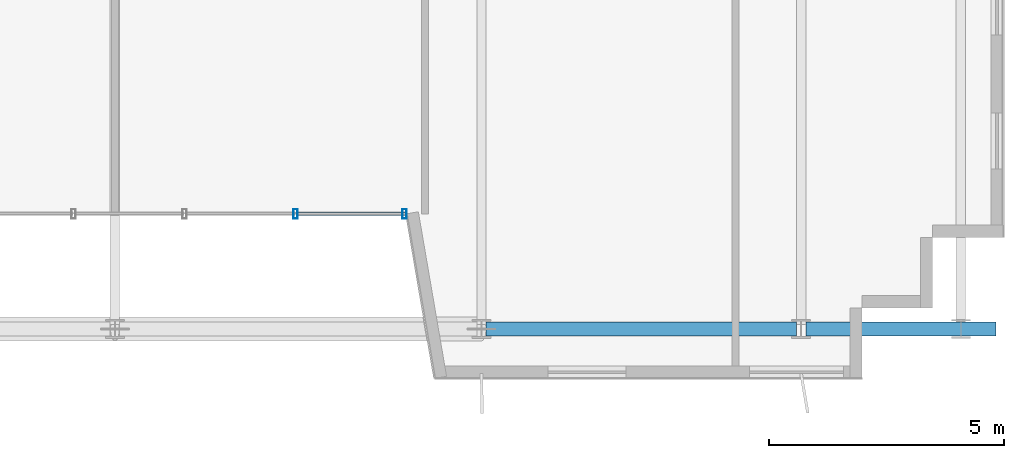
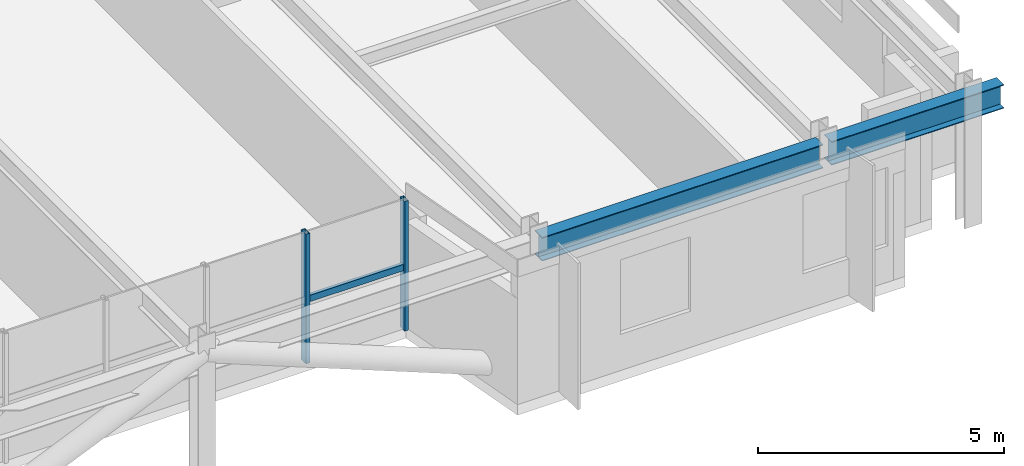
# One storey, part 8 of 26: 3 members, 2 beams, 1 element without a shape of its own.
"""IFC4 building model written with IfcOpenShell, lengths in metres."""

from ifc_helpers import new_model, si_unit, direction, frame, origin, origin_2d, place, context, subcontext, project, spatial, hollow_rectangle, i_section, extrude, source, transform, mapped, material, material_profile, profile_set, type_object, element, aggregate, save


model = new_model("IFC4")

# Units and contexts
model_context = context("Model", 3, precision=1e-05, world=origin(), true_north=direction((0.0, 1.0)))
body_context = subcontext(model_context, "Body", "Model", "MODEL_VIEW")
ifc_project = project(units=[si_unit("LENGTHUNIT", "METRE"), si_unit("AREAUNIT", "SQUARE_METRE"), si_unit("VOLUMEUNIT", "CUBIC_METRE"), si_unit("PLANEANGLEUNIT", "RADIAN"), si_unit("MASSUNIT", "GRAM", prefix="KILO")], contexts=[model_context])

# Site, building, storey
site_placement = place(None, origin())
site = spatial("IfcSite", under=ifc_project, at=site_placement, CompositionType="ELEMENT")
building_placement = place(site_placement, origin())
building = spatial("IfcBuilding", under=site, at=building_placement, Name="Trelvane Seafront Commons", CompositionType="ELEMENT")
storey_placement = place(building_placement, frame((0.0, 0.0, 128.5)))
storey = spatial("IfcBuildingStorey", under=building, at=storey_placement, Name="L33", CompositionType="ELEMENT", Elevation=128.5)

# Beams
ifc_material_1 = material(Name="Steel SM355 (S355)", Category="steel")
ifc_material_profile_1 = material_profile(ifc_material_1, i_section(OverallWidth=0.300048828125, OverallDepth=0.587890625, WebThickness=0.011962890625, FlangeThickness=0.02001953125, at=origin_2d()), Name="H-588x300x12x20")
ifc_profile_set_1 = profile_set([ifc_material_profile_1], Name="Steel SM355 (S355)")
beam_type = type_object("IfcBeamType", Name="STR-BM-H588", PredefinedType="BEAM", material=ifc_profile_set_1)
shared_shape_1 = source(origin(), body_context, "Body", "SweptSolid", [
    extrude(i_section(OverallWidth=0.300048828125, OverallDepth=0.587890625, WebThickness=0.011962890625, FlangeThickness=0.02001953125, at=origin_2d()), origin(), (0.0, 0.0, 1.0), 6.60009765625),
])
beam_1_placement = place(storey_placement, frame((58.89990234375, 3.949951171875, 2.926025390625), z_axis=(1.0, 0.0, 0.0), x_axis=(0.0, 1.0, 0.0)))
element("IfcBeam", 1, at=beam_1_placement, inside=storey, type_object=beam_type, Name="L33 Primary Girder G-08", PredefinedType="BEAM", context=body_context, shape_type="MappedRepresentation", body=[
    mapped(shared_shape_1, transform((0.0, 0.0, 0.0), x_axis=(1.0, 0.0, 0.0), y_axis=(0.0, 1.0, 0.0), z_axis=(0.0, 0.0, 1.0), scale=1.0)),
])
shared_shape_2 = source(origin(), body_context, "Body", "SweptSolid", [
    extrude(i_section(OverallWidth=0.300048828125, OverallDepth=0.587890625, WebThickness=0.011962890625, FlangeThickness=0.02001953125, at=origin_2d()), origin(), (0.0, 0.0, 1.0), 4.050048828125),
])
beam_2_placement = place(storey_placement, frame((65.699951171875, 3.949951171875, 2.926025390625), z_axis=(1.0, 0.0, 0.0), x_axis=(0.0, 1.0, 0.0)))
element("IfcBeam", 2, at=beam_2_placement, inside=storey, type_object=beam_type, Name="L33 Primary Girder G-09", PredefinedType="BEAM", context=body_context, shape_type="MappedRepresentation", body=[
    mapped(shared_shape_2, transform((0.0, 0.0, 0.0), x_axis=(1.0, 0.0, 0.0), y_axis=(0.0, 1.0, 0.0), z_axis=(0.0, 0.0, 1.0), scale=1.0)),
])

# Curtain wall, members
ifc_material_2 = material(Name="Anodised pale-silver aluminium", Category="aluminium")
curtain_wall_type = type_object("IfcCurtainWallType", Name="ARCH-CW3-PORTAL", PredefinedType="NOTDEFINED", material=ifc_material_2)
curtain_wall_placement = place(storey_placement, origin())
curtain_wall = element("IfcCurtainWall", 3, at=curtain_wall_placement, inside=storey, type_object=curtain_wall_type, Name="CW-L33-VN-0060", PredefinedType="NOTDEFINED")
ifc_material_profile_2 = material_profile(ifc_material_2, hollow_rectangle(XDim=0.080078125, YDim=0.159912109375, WallThickness=0.00439453125, at=origin_2d()), Name="TRAN-80x160x4.5")
ifc_profile_set_2 = profile_set([ifc_material_profile_2], Name="Anodised pale-silver aluminium")
member_type_1 = type_object("IfcMemberType", Name="ARCH-CW-TRAN-160", PredefinedType="USERDEFINED", material=ifc_profile_set_2)
shared_shape_3 = source(origin(), body_context, "Body", "SweptSolid", [
    extrude(hollow_rectangle(XDim=0.080078125, YDim=0.159912109375, WallThickness=0.00439453125, at=origin_2d()), origin(), (0.0, 0.0, 1.0), 2.3359375),
])
member_1_placement = place(storey_placement, frame((57.18798828125, 6.39990234375, 1.5458984375), z_axis=(-1.0, 0.0, 0.0), x_axis=(0.0, -1.0, 0.0)))
member_1 = element("IfcMember", 4, at=member_1_placement, type_object=member_type_1, Name="CW-L33-VN-0060-T00", ObjectType="TRANSOM", PredefinedType="USERDEFINED", context=body_context, shape_type="MappedRepresentation", body=[
    mapped(shared_shape_3, transform((0.0, 0.0, 0.0), x_axis=(1.0, 0.0, 0.0), y_axis=(0.0, 1.0, 0.0), z_axis=(0.0, 0.0, 1.0), scale=1.0)),
])
ifc_material_profile_3 = material_profile(ifc_material_2, hollow_rectangle(XDim=0.090087890625, YDim=0.199951171875, WallThickness=0.0048828125, at=origin_2d()), Name="MULL-90x200x5")
ifc_profile_set_3 = profile_set([ifc_material_profile_3], Name="Anodised pale-silver aluminium")
member_type_2 = type_object("IfcMemberType", Name="ARCH-CW-MULL-200", PredefinedType="MULLION", material=ifc_profile_set_3)
shared_shape_4 = source(origin(), body_context, "Body", "SweptSolid", [
    extrude(hollow_rectangle(XDim=0.090087890625, YDim=0.199951171875, WallThickness=0.0048828125, at=origin_2d()), origin(), (0.0, 0.0, 1.0), 3.219970703125),
])
member_2_placement = place(storey_placement, frame((57.159912109375, 6.39990234375, 0.0), z_axis=(0.0, 0.0, 1.0), x_axis=(1.0, 0.0, 0.0)))
member_2 = element("IfcMember", 5, at=member_2_placement, type_object=member_type_2, Name="CW-L33-VN-0060-M00", PredefinedType="MULLION", context=body_context, shape_type="MappedRepresentation", body=[
    mapped(shared_shape_4, transform((0.0, 0.0, 0.0), x_axis=(1.0, 0.0, 0.0), y_axis=(0.0, 1.0, 0.0), z_axis=(0.0, 0.0, 1.0), scale=1.0)),
])
member_3_placement = place(storey_placement, frame((54.840087890625, 6.39990234375, 0.0), z_axis=(0.0, 0.0, 1.0), x_axis=(1.0, 0.0, 0.0)))
member_3 = element("IfcMember", 6, at=member_3_placement, type_object=member_type_2, Name="CW-L33-VN-0060-M01", PredefinedType="MULLION", context=body_context, shape_type="MappedRepresentation", body=[
    mapped(shared_shape_4, transform((0.0, 0.0, 0.0), x_axis=(1.0, 0.0, 0.0), y_axis=(0.0, 1.0, 0.0), z_axis=(0.0, 0.0, 1.0), scale=1.0)),
])
aggregate(curtain_wall, [member_2, member_3, member_1])

save(model, "model.ifc")
